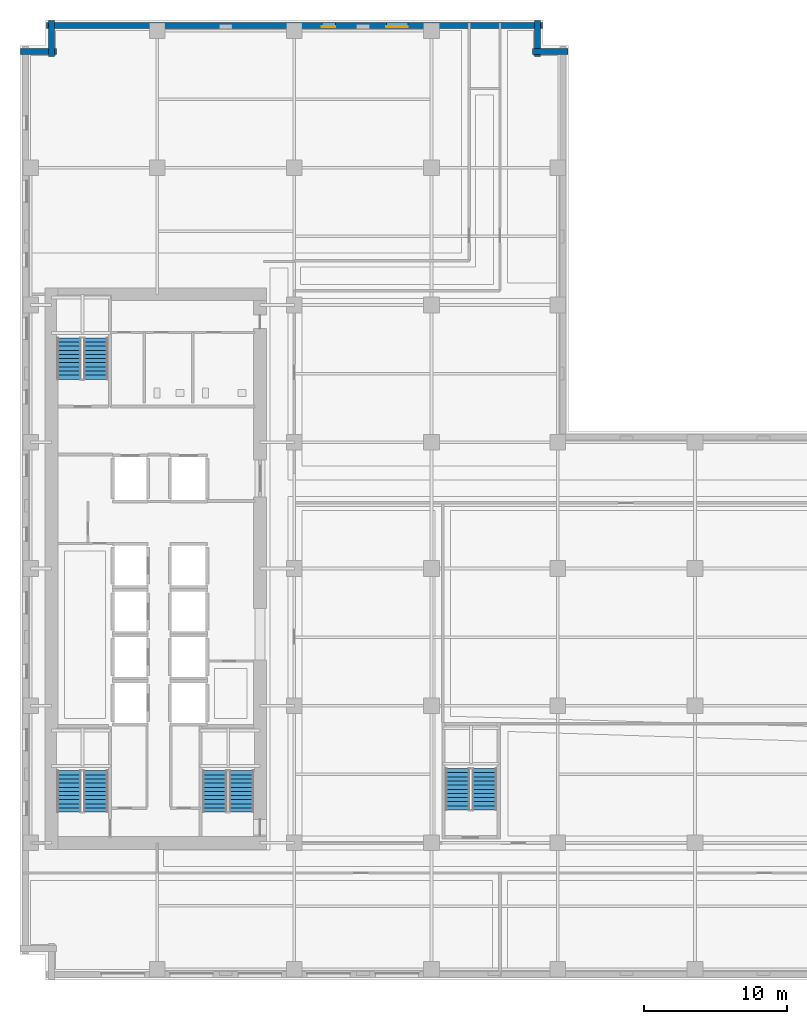
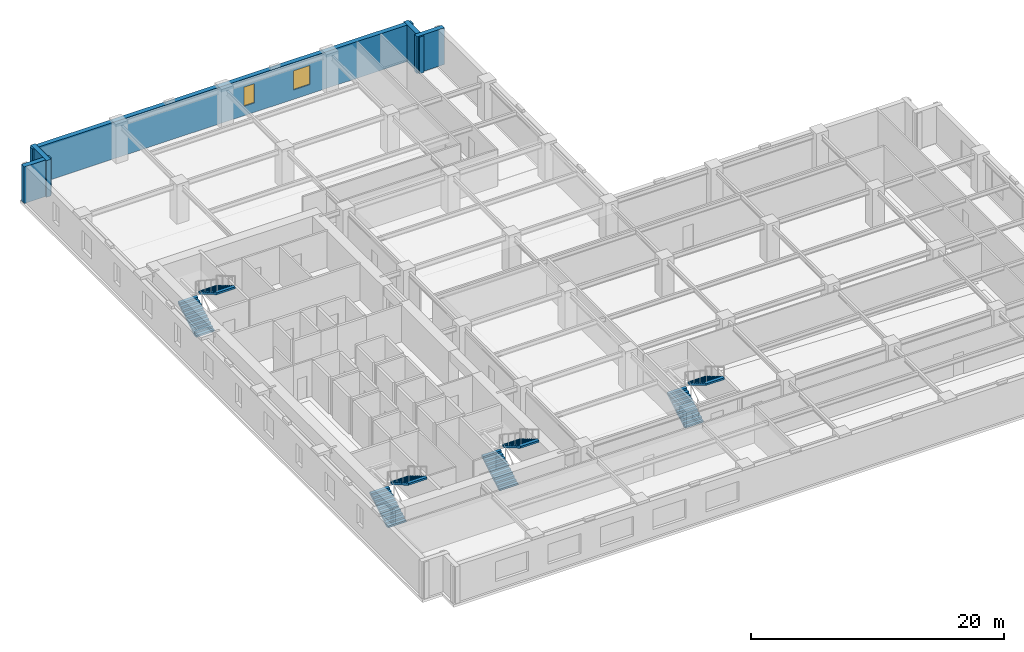
# One storey, part 8 of 13: 8 stair flights, 5 walls, 2 windows, 2 openings, 4 elements without a shape of their own.
"""IFC4 building model written with IfcOpenShell, lengths in metres."""

from ifc_helpers import new_model, si_unit, direction, frame, frame_2d, origin, place, context, subcontext, project, spatial, polyline, rectangle, outline, extrude, material, layer, layer_set, type_object, element, fill, aggregate, save


model = new_model("IFC4")

# Units and contexts
model_context = context("Model", 3, precision=1e-05, world=origin(), true_north=direction((0.0, 1.0)))
body_context = subcontext(model_context, "Body", "Model", "MODEL_VIEW")
ifc_project = project(units=[si_unit("LENGTHUNIT", "METRE"), si_unit("AREAUNIT", "SQUARE_METRE"), si_unit("VOLUMEUNIT", "CUBIC_METRE"), si_unit("PLANEANGLEUNIT", "RADIAN"), si_unit("MASSUNIT", "GRAM", prefix="KILO")], contexts=[model_context])

# Site, building, storey
site_placement = place(None, origin())
site = spatial("IfcSite", under=ifc_project, at=site_placement, CompositionType="ELEMENT")
building_placement = place(site_placement, origin())
building = spatial("IfcBuilding", under=site, at=building_placement, Name="Norrvale University Quadrangle", CompositionType="ELEMENT")
storey_placement = place(building_placement, frame((0.0, 0.0, 85.0)))
storey = spatial("IfcBuildingStorey", under=building, at=storey_placement, Name="L21", CompositionType="ELEMENT", Elevation=85.0)

# Walls
ifc_material_1 = material(Name="Buff Norman Clay Brick Masonry", Category="masonry")
ifc_layer = layer(ifc_material_1, 0.419921875, Name="Buff Norman Clay Brick Masonry")
ifc_layer_set = layer_set([ifc_layer], Name="Buff Norman Clay Brick Masonry")
wall_type = type_object("IfcWallType", Name="Wall Buff Brick 420", PredefinedType="SOLIDWALL", material=ifc_layer_set)
for number, where, z_axis, x_axis, name in (
    (1, (38.360107421875, 65.010009765625, 0.0), (0.0, 0.0, 1.0), (-1.0, 0.0, 0.0), "Exterior Brick Facade Wall L21-09.1"),
    (2, (36.2099609375, 64.659912109375, 0.0), (0.0, 0.0, 1.0), (0.0, 1.0, 0.0), "Exterior Brick Facade Wall L21-10.1"),
):
    element("IfcWall", number, at=place(storey_placement, frame(where, z_axis=z_axis, x_axis=x_axis)), inside=storey, type_object=wall_type, Name=name, PredefinedType="SOLIDWALL", context=body_context, shape_type="SweptSolid", body=[
        extrude(rectangle(XDim=2.5, YDim=0.419921875, at=frame_2d((1.25, 0.0))), origin(), (0.0, 0.0, 1.0), 3.5400390625),
    ])

# Wall, openings, windows
wall_placement = place(storey_placement, frame((36.56005859375, 66.81005859375, 0.0), z_axis=(0.0, 0.0, 1.0), x_axis=(-1.0, 0.0, 0.0)))
wall = element("IfcWall", 3, at=wall_placement, inside=storey, type_object=wall_type, Name="Exterior Brick Facade Wall L21-11.1", PredefinedType="SOLIDWALL", context=body_context, shape_type="SweptSolid", body=[
    extrude(rectangle(XDim=34.719970703125, YDim=0.419921875, at=frame_2d((17.35986328125, 0.0))), origin(), (0.0, 0.0, 1.0), 3.5400390625),
])
opening_1_placement = place(wall_placement, frame((9.409912109375, 0.0, 0.89990234375)))
opening_1 = element("IfcOpeningElement", 4, at=opening_1_placement, cuts=wall, Name="Opening W03", PredefinedType="OPENING", context=body_context, shape_type="SweptSolid", body=[
    extrude(rectangle(XDim=1.5, YDim=1.85009765625, at=frame_2d((0.75, 0.925048828125))), frame((0.0, 0.221923828125, 0.0), z_axis=(0.0, -1.0, 0.0), x_axis=(1.0, 0.0, 0.0)), (0.0, 0.0, 1.0), 0.44384765625),
])
opening_2_placement = place(wall_placement, frame((14.485107421875, 0.0, 0.89990234375)))
opening_2 = element("IfcOpeningElement", 5, at=opening_2_placement, cuts=wall, Name="Opening W04", PredefinedType="OPENING", context=body_context, shape_type="SweptSolid", body=[
    extrude(rectangle(XDim=0.949951171875, YDim=1.85009765625, at=frame_2d((0.47509765625, 0.925048828125))), frame((0.0, 0.221923828125, 0.0), z_axis=(0.0, -1.0, 0.0), x_axis=(1.0, 0.0, 0.0)), (0.0, 0.0, 1.0), 0.44384765625),
])
ifc_material_2 = material(Name="Triple Low-E Argon Glazing", Category="glass")
window_type_1 = type_object("IfcWindowType", Name="Window Narrow Pier 950x2300", PartitioningType="SINGLE_PANEL", PredefinedType="WINDOW", material=ifc_material_2)
window_1_placement = place(opening_2_placement, origin())
window_1 = element("IfcWindow", 6, at=window_1_placement, inside=storey, type_object=window_type_1, Name="Window Narrow Pier 950x2300 WIN-L21-E11-1-02", OverallHeight=1.85009765625, OverallWidth=0.949951171875, PartitioningType="SINGLE_PANEL", PredefinedType="WINDOW", context=body_context, shape_type="SweptSolid", body=[
    extrude(rectangle(XDim=0.949951171875, YDim=1.85009765625, at=frame_2d((0.47509765625, 0.925048828125))), frame((0.0, 0.110107421875, 0.0), z_axis=(0.0, -1.0, 0.0), x_axis=(1.0, 0.0, 0.0)), (0.0, 0.0, 1.0), 0.06005859375),
])
fill(opening_2, window_1)
window_type_2 = type_object("IfcWindowType", Name="Window Studio 1500x2300", PartitioningType="DOUBLE_PANEL_VERTICAL", PredefinedType="WINDOW", material=ifc_material_2)
window_2_placement = place(opening_1_placement, origin())
window_2 = element("IfcWindow", 7, at=window_2_placement, inside=storey, type_object=window_type_2, Name="Window Studio 1500x2300 WIN-L21-E11-1-01", OverallHeight=1.85009765625, OverallWidth=1.5, PartitioningType="DOUBLE_PANEL_VERTICAL", PredefinedType="WINDOW", context=body_context, shape_type="SweptSolid", body=[
    extrude(rectangle(XDim=1.5, YDim=1.85009765625, at=frame_2d((0.75, 0.925048828125))), frame((0.0, 0.110107421875, 0.0), z_axis=(0.0, -1.0, 0.0), x_axis=(1.0, 0.0, 0.0)), (0.0, 0.0, 1.0), 0.06005859375),
])
fill(opening_1, window_2)

# Walls
for number, where, z_axis, x_axis, name in (
    (8, (2.18994140625, 67.159912109375, 0.0), (0.0, 0.0, 1.0), (0.0, -1.0, 0.0), "Exterior Brick Facade Wall L21-12.1"),
    (9, (2.5400390625, 65.010009765625, 0.0), (0.0, 0.0, 1.0), (-1.0, 0.0, 0.0), "Exterior Brick Facade Wall L21-13.1"),
):
    element("IfcWall", number, at=place(storey_placement, frame(where, z_axis=z_axis, x_axis=x_axis)), inside=storey, type_object=wall_type, Name=name, PredefinedType="SOLIDWALL", context=body_context, shape_type="SweptSolid", body=[
        extrude(rectangle(XDim=2.5, YDim=0.419921875, at=frame_2d((1.25, 0.0))), origin(), (0.0, 0.0, 1.0), 3.5400390625),
    ])

# Stair, stair flights
ifc_material_3 = material(Name="Concrete C40/50", Category="concrete")
stair_type = type_object("IfcStairType", Name="Stair Tower Typ 3800", PredefinedType="TWO_STRAIGHT_RUN_STAIR", material=ifc_material_3)
stair_1_placement = place(storey_placement, origin())
stair_1 = element("IfcStair", 10, at=stair_1_placement, inside=storey, type_object=stair_type, Name="Exit Stair ST-01 L21", PredefinedType="TWO_STRAIGHT_RUN_STAIR")
stair_flight_type = type_object("IfcStairFlightType", Name="Flight Typ 1500", PredefinedType="STRAIGHT", material=ifc_material_3)
stair_flight_1_placement = place(storey_placement, frame((3.429931640625, 11.75, 0.0), z_axis=(0.0, 0.0, 1.0), x_axis=(0.0, 1.0, 0.0)))
stair_flight_1 = element("IfcStairFlight", 11, at=stair_flight_1_placement, type_object=stair_flight_type, Name="Exit Stair ST-01 L21 Lower Flight", NumberOfRisers=11, NumberOfTreads=10, PredefinedType="STRAIGHT", RiserHeight=0.172727, TreadLength=0.29, context=body_context, shape_type="SweptSolid", body=[
    extrude(outline(polyline([(0.0, 0.0), (0.0, 0.172607421875), (0.2900390625, 0.172607421875), (0.2900390625, 0.345458984375), (0.580078125, 0.345458984375), (0.580078125, 0.51806640625), (0.8701171875, 0.51806640625), (0.8701171875, 0.69091796875), (1.159912109375, 0.69091796875), (1.159912109375, 0.863525390625), (1.449951171875, 0.863525390625), (1.449951171875, 1.036376953125), (1.739990234375, 1.036376953125), (1.739990234375, 1.208984375), (2.030029296875, 1.208984375), (2.030029296875, 1.3818359375), (2.320068359375, 1.3818359375), (2.320068359375, 1.554443359375), (2.610107421875, 1.554443359375), (2.610107421875, 1.727294921875), (2.89990234375, 1.727294921875), (2.89990234375, 1.89990234375), (2.89990234375, 1.552734375), (0.29296875, 0.0), (0.0, 0.0)])), frame((0.0, 0.83984375, 0.0), z_axis=(0.0, -1.0, 0.0), x_axis=(1.0, 0.0, 0.0)), (0.0, 0.0, 1.0), 1.679931640625),
])
stair_flight_2_placement = place(storey_placement, frame((5.320068359375, 14.64990234375, 1.89990234375), z_axis=(0.0, 0.0, 1.0), x_axis=(0.0, -1.0, 0.0)))
stair_flight_2 = element("IfcStairFlight", 12, at=stair_flight_2_placement, type_object=stair_flight_type, Name="Exit Stair ST-01 L21 Upper Flight", NumberOfRisers=11, NumberOfTreads=10, PredefinedType="STRAIGHT", RiserHeight=0.172727, TreadLength=0.29, context=body_context, shape_type="SweptSolid", body=[
    extrude(outline(polyline([(0.0, 0.0), (0.0, 0.172607421875), (0.2900390625, 0.172607421875), (0.2900390625, 0.345458984375), (0.580078125, 0.345458984375), (0.580078125, 0.51806640625), (0.8701171875, 0.51806640625), (0.8701171875, 0.69091796875), (1.159912109375, 0.69091796875), (1.159912109375, 0.863525390625), (1.449951171875, 0.863525390625), (1.449951171875, 1.036376953125), (1.739990234375, 1.036376953125), (1.739990234375, 1.208984375), (2.030029296875, 1.208984375), (2.030029296875, 1.3818359375), (2.320068359375, 1.3818359375), (2.320068359375, 1.554443359375), (2.610107421875, 1.554443359375), (2.610107421875, 1.727294921875), (2.89990234375, 1.727294921875), (2.89990234375, 1.89990234375), (2.89990234375, 1.552734375), (0.29296875, 0.0), (0.0, 0.0)])), frame((0.0, 0.83984375, 0.0), z_axis=(0.0, -1.0, 0.0), x_axis=(1.0, 0.0, 0.0)), (0.0, 0.0, 1.0), 1.679931640625),
])
aggregate(stair_1, [stair_flight_1, stair_flight_2])

stair_2_placement = place(storey_placement, origin())
stair_2 = element("IfcStair", 13, at=stair_2_placement, inside=storey, type_object=stair_type, Name="Exit Stair ST-02 L21", PredefinedType="TWO_STRAIGHT_RUN_STAIR")
stair_flight_3_placement = place(storey_placement, frame((3.429931640625, 42.050048828125, 0.0), z_axis=(0.0, 0.0, 1.0), x_axis=(0.0, 1.0, 0.0)))
stair_flight_3 = element("IfcStairFlight", 14, at=stair_flight_3_placement, type_object=stair_flight_type, Name="Exit Stair ST-02 L21 Lower Flight", NumberOfRisers=11, NumberOfTreads=10, PredefinedType="STRAIGHT", RiserHeight=0.172727, TreadLength=0.29, context=body_context, shape_type="SweptSolid", body=[
    extrude(outline(polyline([(0.0, 0.0), (0.0, 0.172607421875), (0.2900390625, 0.172607421875), (0.2900390625, 0.345458984375), (0.580078125, 0.345458984375), (0.580078125, 0.51806640625), (0.8701171875, 0.51806640625), (0.8701171875, 0.69091796875), (1.159912109375, 0.69091796875), (1.159912109375, 0.863525390625), (1.449951171875, 0.863525390625), (1.449951171875, 1.036376953125), (1.739990234375, 1.036376953125), (1.739990234375, 1.208984375), (2.030029296875, 1.208984375), (2.030029296875, 1.3818359375), (2.320068359375, 1.3818359375), (2.320068359375, 1.554443359375), (2.610107421875, 1.554443359375), (2.610107421875, 1.727294921875), (2.89990234375, 1.727294921875), (2.89990234375, 1.89990234375), (2.89990234375, 1.552734375), (0.29296875, 0.0), (0.0, 0.0)])), frame((0.0, 0.83984375, 0.0), z_axis=(0.0, -1.0, 0.0), x_axis=(1.0, 0.0, 0.0)), (0.0, 0.0, 1.0), 1.679931640625),
])
stair_flight_4_placement = place(storey_placement, frame((5.320068359375, 44.949951171875, 1.89990234375), z_axis=(0.0, 0.0, 1.0), x_axis=(0.0, -1.0, 0.0)))
stair_flight_4 = element("IfcStairFlight", 15, at=stair_flight_4_placement, type_object=stair_flight_type, Name="Exit Stair ST-02 L21 Upper Flight", NumberOfRisers=11, NumberOfTreads=10, PredefinedType="STRAIGHT", RiserHeight=0.172727, TreadLength=0.29, context=body_context, shape_type="SweptSolid", body=[
    extrude(outline(polyline([(0.0, 0.0), (0.0, 0.172607421875), (0.2900390625, 0.172607421875), (0.2900390625, 0.345458984375), (0.580078125, 0.345458984375), (0.580078125, 0.51806640625), (0.8701171875, 0.51806640625), (0.8701171875, 0.69091796875), (1.159912109375, 0.69091796875), (1.159912109375, 0.863525390625), (1.449951171875, 0.863525390625), (1.449951171875, 1.036376953125), (1.739990234375, 1.036376953125), (1.739990234375, 1.208984375), (2.030029296875, 1.208984375), (2.030029296875, 1.3818359375), (2.320068359375, 1.3818359375), (2.320068359375, 1.554443359375), (2.610107421875, 1.554443359375), (2.610107421875, 1.727294921875), (2.89990234375, 1.727294921875), (2.89990234375, 1.89990234375), (2.89990234375, 1.552734375), (0.29296875, 0.0), (0.0, 0.0)])), frame((0.0, 0.83984375, 0.0), z_axis=(0.0, -1.0, 0.0), x_axis=(1.0, 0.0, 0.0)), (0.0, 0.0, 1.0), 1.679931640625),
])
aggregate(stair_2, [stair_flight_3, stair_flight_4])

stair_3_placement = place(storey_placement, origin())
stair_3 = element("IfcStair", 16, at=stair_3_placement, inside=storey, type_object=stair_type, Name="Exit Stair ST-03 L21", PredefinedType="TWO_STRAIGHT_RUN_STAIR")
stair_flight_5_placement = place(storey_placement, frame((13.6298828125, 11.75, 0.0), z_axis=(0.0, 0.0, 1.0), x_axis=(0.0, 1.0, 0.0)))
stair_flight_5 = element("IfcStairFlight", 17, at=stair_flight_5_placement, type_object=stair_flight_type, Name="Exit Stair ST-03 L21 Lower Flight", NumberOfRisers=11, NumberOfTreads=10, PredefinedType="STRAIGHT", RiserHeight=0.172727, TreadLength=0.29, context=body_context, shape_type="SweptSolid", body=[
    extrude(outline(polyline([(0.0, 0.0), (0.0, 0.172607421875), (0.2900390625, 0.172607421875), (0.2900390625, 0.345458984375), (0.580078125, 0.345458984375), (0.580078125, 0.51806640625), (0.8701171875, 0.51806640625), (0.8701171875, 0.69091796875), (1.159912109375, 0.69091796875), (1.159912109375, 0.863525390625), (1.449951171875, 0.863525390625), (1.449951171875, 1.036376953125), (1.739990234375, 1.036376953125), (1.739990234375, 1.208984375), (2.030029296875, 1.208984375), (2.030029296875, 1.3818359375), (2.320068359375, 1.3818359375), (2.320068359375, 1.554443359375), (2.610107421875, 1.554443359375), (2.610107421875, 1.727294921875), (2.89990234375, 1.727294921875), (2.89990234375, 1.89990234375), (2.89990234375, 1.552734375), (0.29296875, 0.0), (0.0, 0.0)])), frame((0.0, 0.83984375, 0.0), z_axis=(0.0, -1.0, 0.0), x_axis=(1.0, 0.0, 0.0)), (0.0, 0.0, 1.0), 1.679931640625),
])
stair_flight_6_placement = place(storey_placement, frame((15.52001953125, 14.64990234375, 1.89990234375), z_axis=(0.0, 0.0, 1.0), x_axis=(0.0, -1.0, 0.0)))
stair_flight_6 = element("IfcStairFlight", 18, at=stair_flight_6_placement, type_object=stair_flight_type, Name="Exit Stair ST-03 L21 Upper Flight", NumberOfRisers=11, NumberOfTreads=10, PredefinedType="STRAIGHT", RiserHeight=0.172727, TreadLength=0.29, context=body_context, shape_type="SweptSolid", body=[
    extrude(outline(polyline([(0.0, 0.0), (0.0, 0.172607421875), (0.2900390625, 0.172607421875), (0.2900390625, 0.345458984375), (0.580078125, 0.345458984375), (0.580078125, 0.51806640625), (0.8701171875, 0.51806640625), (0.8701171875, 0.69091796875), (1.159912109375, 0.69091796875), (1.159912109375, 0.863525390625), (1.449951171875, 0.863525390625), (1.449951171875, 1.036376953125), (1.739990234375, 1.036376953125), (1.739990234375, 1.208984375), (2.030029296875, 1.208984375), (2.030029296875, 1.3818359375), (2.320068359375, 1.3818359375), (2.320068359375, 1.554443359375), (2.610107421875, 1.554443359375), (2.610107421875, 1.727294921875), (2.89990234375, 1.727294921875), (2.89990234375, 1.89990234375), (2.89990234375, 1.552734375), (0.29296875, 0.0), (0.0, 0.0)])), frame((0.0, 0.83984375, 0.0), z_axis=(0.0, -1.0, 0.0), x_axis=(1.0, 0.0, 0.0)), (0.0, 0.0, 1.0), 1.679931640625),
])
aggregate(stair_3, [stair_flight_5, stair_flight_6])

stair_4_placement = place(storey_placement, origin())
stair_4 = element("IfcStair", 19, at=stair_4_placement, inside=storey, type_object=stair_type, Name="Exit Stair ST-04 L21", PredefinedType="TWO_STRAIGHT_RUN_STAIR")
stair_flight_7_placement = place(storey_placement, frame((30.6298828125, 11.89990234375, 0.0), z_axis=(0.0, 0.0, 1.0), x_axis=(0.0, 1.0, 0.0)))
stair_flight_7 = element("IfcStairFlight", 20, at=stair_flight_7_placement, type_object=stair_flight_type, Name="Exit Stair ST-04 L21 Lower Flight", NumberOfRisers=11, NumberOfTreads=10, PredefinedType="STRAIGHT", RiserHeight=0.172727, TreadLength=0.29, context=body_context, shape_type="SweptSolid", body=[
    extrude(outline(polyline([(0.0, 0.0), (0.0, 0.172607421875), (0.2900390625, 0.172607421875), (0.2900390625, 0.345458984375), (0.580078125, 0.345458984375), (0.580078125, 0.51806640625), (0.8701171875, 0.51806640625), (0.8701171875, 0.69091796875), (1.159912109375, 0.69091796875), (1.159912109375, 0.863525390625), (1.449951171875, 0.863525390625), (1.449951171875, 1.036376953125), (1.739990234375, 1.036376953125), (1.739990234375, 1.208984375), (2.030029296875, 1.208984375), (2.030029296875, 1.3818359375), (2.320068359375, 1.3818359375), (2.320068359375, 1.554443359375), (2.610107421875, 1.554443359375), (2.610107421875, 1.727294921875), (2.89990234375, 1.727294921875), (2.89990234375, 1.89990234375), (2.89990234375, 1.552734375), (0.29296875, 0.0), (0.0, 0.0)])), frame((0.0, 0.83984375, 0.0), z_axis=(0.0, -1.0, 0.0), x_axis=(1.0, 0.0, 0.0)), (0.0, 0.0, 1.0), 1.679931640625),
])
stair_flight_8_placement = place(storey_placement, frame((32.52001953125, 14.800048828125, 1.89990234375), z_axis=(0.0, 0.0, 1.0), x_axis=(0.0, -1.0, 0.0)))
stair_flight_8 = element("IfcStairFlight", 21, at=stair_flight_8_placement, type_object=stair_flight_type, Name="Exit Stair ST-04 L21 Upper Flight", NumberOfRisers=11, NumberOfTreads=10, PredefinedType="STRAIGHT", RiserHeight=0.172727, TreadLength=0.29, context=body_context, shape_type="SweptSolid", body=[
    extrude(outline(polyline([(0.0, 0.0), (0.0, 0.172607421875), (0.2900390625, 0.172607421875), (0.2900390625, 0.345458984375), (0.580078125, 0.345458984375), (0.580078125, 0.51806640625), (0.8701171875, 0.51806640625), (0.8701171875, 0.69091796875), (1.159912109375, 0.69091796875), (1.159912109375, 0.863525390625), (1.449951171875, 0.863525390625), (1.449951171875, 1.036376953125), (1.739990234375, 1.036376953125), (1.739990234375, 1.208984375), (2.030029296875, 1.208984375), (2.030029296875, 1.3818359375), (2.320068359375, 1.3818359375), (2.320068359375, 1.554443359375), (2.610107421875, 1.554443359375), (2.610107421875, 1.727294921875), (2.89990234375, 1.727294921875), (2.89990234375, 1.89990234375), (2.89990234375, 1.552734375), (0.29296875, 0.0), (0.0, 0.0)])), frame((0.0, 0.83984375, 0.0), z_axis=(0.0, -1.0, 0.0), x_axis=(1.0, 0.0, 0.0)), (0.0, 0.0, 1.0), 1.679931640625),
])
aggregate(stair_4, [stair_flight_7, stair_flight_8])

save(model, "model.ifc")
